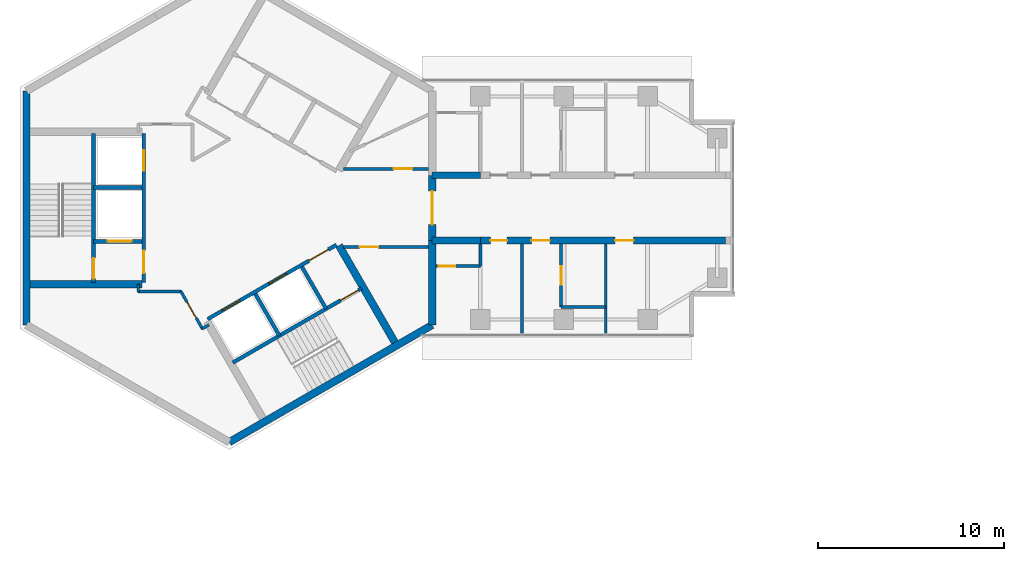
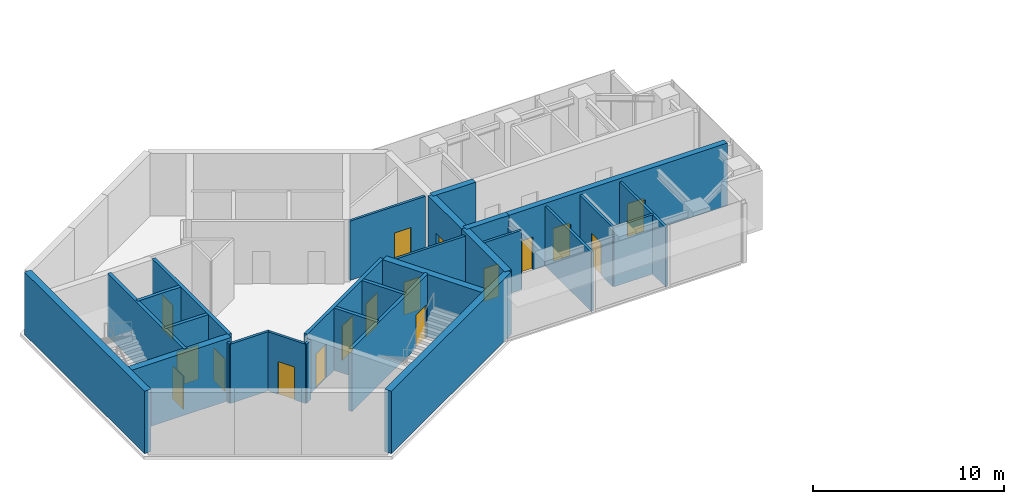
# One storey, part 5 of 11: 29 walls, 17 doors, 17 openings.
"""IFC4 building model written with IfcOpenShell, lengths in metres."""

from ifc_helpers import new_model, si_unit, direction, frame, frame_2d, origin, place, context, subcontext, project, spatial, rectangle, extrude, material, layer, layer_set, type_object, element, fill, save


model = new_model("IFC4")

# Units and contexts
model_context = context("Model", 3, precision=1e-05, world=origin(), true_north=direction((0.0, 1.0)))
body_context = subcontext(model_context, "Body", "Model", "MODEL_VIEW")
ifc_project = project(units=[si_unit("LENGTHUNIT", "METRE"), si_unit("AREAUNIT", "SQUARE_METRE"), si_unit("VOLUMEUNIT", "CUBIC_METRE"), si_unit("PLANEANGLEUNIT", "RADIAN"), si_unit("MASSUNIT", "GRAM", prefix="KILO")], contexts=[model_context])

# Site, building, storey
site_placement = place(None, origin())
site = spatial("IfcSite", under=ifc_project, at=site_placement, CompositionType="ELEMENT")
building_placement = place(site_placement, origin())
building = spatial("IfcBuilding", under=site, at=building_placement, Name="Upepo Twin Towers", CompositionType="ELEMENT")
storey_placement = place(building_placement, frame((0.0, 0.0, 259.5)))
storey = spatial("IfcBuildingStorey", under=building, at=storey_placement, Name="L63", CompositionType="ELEMENT", Elevation=259.5)

# Walls
ifc_material_1 = material(Name="Concrete C60/75", Category="concrete")
ifc_layer_1 = layer(ifc_material_1, 0.35009765625)
ifc_layer_set_1 = layer_set([ifc_layer_1], Name="Concrete C60/75")
wall_type_1 = type_object("IfcWallType", Name="Buttress wall 350 RC", PredefinedType="SHEAR", material=ifc_layer_set_1)
for number, where, z_axis, x_axis, name in (
    (1, (10.908447265625, 1.75, 0.0), (0.0, 0.0, 1.0), (1.0, 0.0, 0.0), "T1 wing A buttress wall L"),
    (2, (10.908447265625, -1.75, 0.0), (0.0, 0.0, 1.0), (1.0, 0.0, 0.0), "T1 wing A buttress wall R"),
):
    element("IfcWall", number, at=place(storey_placement, frame(where, z_axis=z_axis, x_axis=x_axis)), inside=storey, type_object=wall_type_1, Name=name, PredefinedType="SHEAR", context=body_context, shape_type="SweptSolid", body=[
        extrude(rectangle(XDim=2.591552734375, YDim=0.35009765625, at=frame_2d((1.2958984375, 0.0))), origin(), (0.0, 0.0, 1.0), 4.0),
    ])

# Wall, openings, doors
wall_1_placement = place(storey_placement, frame((13.5, -1.75, 0.0), z_axis=(0.0, 0.0, 1.0), x_axis=(1.0, 0.0, 0.0)))
wall_1 = element("IfcWall", 3, at=wall_1_placement, inside=storey, type_object=wall_type_1, Name="T1 wing A buttress wall R part 2", PredefinedType="SHEAR", context=body_context, shape_type="SweptSolid", body=[
    extrude(rectangle(XDim=13.199951171875, YDim=0.35009765625, at=frame_2d((6.60009765625, 0.0))), origin(), (0.0, 0.0, 1.0), 4.0),
])
opening_1_placement = place(wall_1_placement, frame((0.550048828125, 0.0, 0.0)))
opening_1 = element("IfcOpeningElement", 4, at=opening_1_placement, cuts=wall_1, Name="Opening D11", PredefinedType="OPENING", context=body_context, shape_type="SweptSolid", body=[
    extrude(rectangle(XDim=0.89990234375, YDim=2.10009765625, at=frame_2d((0.449951171875, 1.050048828125))), frame((0.0, 0.18505859375, 0.0), z_axis=(0.0, -1.0, 0.0), x_axis=(1.0, 0.0, 0.0)), (0.0, 0.0, 1.0), 0.3701171875),
])
opening_2_placement = place(wall_1_placement, frame((2.75, 0.0, 0.0)))
opening_2 = element("IfcOpeningElement", 5, at=opening_2_placement, cuts=wall_1, Name="Opening D1", PredefinedType="OPENING", context=body_context, shape_type="SweptSolid", body=[
    extrude(rectangle(XDim=1.0, YDim=2.10009765625, at=frame_2d((0.5, 1.050048828125))), frame((0.0, 0.18505859375, 0.0), z_axis=(0.0, -1.0, 0.0), x_axis=(1.0, 0.0, 0.0)), (0.0, 0.0, 1.0), 0.3701171875),
])
opening_3_placement = place(wall_1_placement, frame((7.25, 0.0, 0.0)))
opening_3 = element("IfcOpeningElement", 6, at=opening_3_placement, cuts=wall_1, Name="Opening D1", PredefinedType="OPENING", context=body_context, shape_type="SweptSolid", body=[
    extrude(rectangle(XDim=1.0, YDim=2.10009765625, at=frame_2d((0.5, 1.050048828125))), frame((0.0, 0.18505859375, 0.0), z_axis=(0.0, -1.0, 0.0), x_axis=(1.0, 0.0, 0.0)), (0.0, 0.0, 1.0), 0.3701171875),
])
ifc_material_2 = material(Name="Timber doorset", Category="wood")
door_type_1 = type_object("IfcDoorType", Name="Room door 1000 FD30", OperationType="SINGLE_SWING_LEFT", PredefinedType="DOOR", material=ifc_material_2)
door_1_placement = place(opening_2_placement, origin())
door_1 = element("IfcDoor", 7, at=door_1_placement, inside=storey, type_object=door_type_1, Name="T1 L63 tutorial room door", OperationType="SINGLE_SWING_LEFT", OverallHeight=2.10009765625, OverallWidth=1.0, PredefinedType="DOOR", context=body_context, shape_type="SweptSolid", body=[
    extrude(rectangle(XDim=1.0, YDim=2.10009765625, at=frame_2d((0.5, 1.050048828125))), frame((0.0, 0.02490234375, 0.0), z_axis=(0.0, -1.0, 0.0), x_axis=(1.0, 0.0, 0.0)), (0.0, 0.0, 1.0), 0.050048828125),
])
fill(opening_2, door_1)
door_2_placement = place(opening_3_placement, origin())
door_2 = element("IfcDoor", 8, at=door_2_placement, inside=storey, type_object=door_type_1, Name="T1 L63 computing laboratory door", OperationType="SINGLE_SWING_RIGHT", OverallHeight=2.10009765625, OverallWidth=1.0, PredefinedType="DOOR", context=body_context, shape_type="SweptSolid", body=[
    extrude(rectangle(XDim=1.0, YDim=2.10009765625, at=frame_2d((0.5, 1.050048828125))), frame((0.0, 0.02490234375, 0.0), z_axis=(0.0, -1.0, 0.0), x_axis=(1.0, 0.0, 0.0)), (0.0, 0.0, 1.0), 0.050048828125),
])
fill(opening_3, door_2)
ifc_material_3 = material(Name="Timber doorset", Category="wood")
door_type_2 = type_object("IfcDoorType", Name="Toilet door 900", OperationType="SINGLE_SWING_LEFT", PredefinedType="DOOR", material=ifc_material_3)
door_3_placement = place(opening_1_placement, origin())
door_3 = element("IfcDoor", 9, at=door_3_placement, inside=storey, type_object=door_type_2, Name="T1 L63 toilets door", OperationType="SINGLE_SWING_LEFT", OverallHeight=2.10009765625, OverallWidth=0.89990234375, PredefinedType="DOOR", context=body_context, shape_type="SweptSolid", body=[
    extrude(rectangle(XDim=0.89990234375, YDim=2.10009765625, at=frame_2d((0.449951171875, 1.050048828125))), frame((0.0, 0.02490234375, 0.0), z_axis=(0.0, -1.0, 0.0), x_axis=(1.0, 0.0, 0.0)), (0.0, 0.0, 1.0), 0.050048828125),
])
fill(opening_1, door_3)

# Wall
ifc_material_4 = material(Name="Concrete C60/75", Category="concrete")
ifc_layer_2 = layer(ifc_material_4, 0.39990234375)
ifc_layer_set_2 = layer_set([ifc_layer_2], Name="Concrete C60/75")
wall_type_2 = type_object("IfcWallType", Name="Core wall 400 RC", PredefinedType="SHEAR", material=ifc_layer_set_2)
wall_2_placement = place(storey_placement, frame((10.908447265625, -6.2978515625, 0.0), z_axis=(0.0, 0.0, 1.0), x_axis=(0.0, 1.0, 0.0)))
element("IfcWall", 10, at=wall_2_placement, inside=storey, type_object=wall_type_2, Name="T1 core wall 000 R", PredefinedType="SHEAR", context=body_context, shape_type="SweptSolid", body=[
    extrude(rectangle(XDim=4.5478515625, YDim=0.39990234375, at=frame_2d((2.27392578125, 0.0))), origin(), (0.0, 0.0, 1.0), 4.0),
])

# Wall, opening, door
wall_3_placement = place(storey_placement, frame((10.908447265625, -1.75, 0.0), z_axis=(0.0, 0.0, 1.0), x_axis=(0.0, 1.0, 0.0)))
wall_3 = element("IfcWall", 11, at=wall_3_placement, inside=storey, type_object=wall_type_2, Name="T1 core wall 000", PredefinedType="SHEAR", context=body_context, shape_type="SweptSolid", body=[
    extrude(rectangle(XDim=3.5, YDim=0.39990234375, at=frame_2d((1.75, 0.0))), origin(), (0.0, 0.0, 1.0), 4.0),
])
opening_4_placement = place(wall_3_placement, frame((0.85009765625, 0.0, 0.0)))
opening_4 = element("IfcOpeningElement", 12, at=opening_4_placement, cuts=wall_3, Name="Opening D2", PredefinedType="OPENING", context=body_context, shape_type="SweptSolid", body=[
    extrude(rectangle(XDim=1.800048828125, YDim=2.10009765625, at=frame_2d((0.89990234375, 1.050048828125))), frame((0.0, 0.2099609375, 0.0), z_axis=(0.0, -1.0, 0.0), x_axis=(1.0, 0.0, 0.0)), (0.0, 0.0, 1.0), 0.419921875),
])
ifc_material_5 = material(Name="Timber doorset", Category="wood")
door_type_3 = type_object("IfcDoorType", Name="Corridor double door 1800 FD60", OperationType="DOUBLE_DOOR_DOUBLE_SWING", PredefinedType="DOOR", material=ifc_material_5)
door_4_placement = place(opening_4_placement, origin())
door_4 = element("IfcDoor", 13, at=door_4_placement, inside=storey, type_object=door_type_3, Name="T1 L63 wing A corridor door", OperationType="DOUBLE_DOOR_DOUBLE_SWING", OverallHeight=2.10009765625, OverallWidth=1.800048828125, PredefinedType="DOOR", context=body_context, shape_type="SweptSolid", body=[
    extrude(rectangle(XDim=1.800048828125, YDim=2.10009765625, at=frame_2d((0.89990234375, 1.050048828125))), frame((0.0, 0.02490234375, 0.0), z_axis=(0.0, -1.0, 0.0), x_axis=(1.0, 0.0, 0.0)), (0.0, 0.0, 1.0), 0.050048828125),
])
fill(opening_4, door_4)

# Walls
wall_4_placement = place(storey_placement, frame((-10.908447265625, 6.2978515625, 0.0), z_axis=(0.0, 0.0, 1.0), x_axis=(0.0, -1.0, 0.0)))
element("IfcWall", 14, at=wall_4_placement, inside=storey, type_object=wall_type_2, Name="T1 core wall 180", PredefinedType="SHEAR", context=body_context, shape_type="SweptSolid", body=[
    extrude(rectangle(XDim=12.595703125, YDim=0.39990234375, at=frame_2d((6.2978515625, 0.0))), origin(), (0.0, 0.0, 1.0), 4.0),
])
wall_5_placement = place(storey_placement, frame((0.0, -12.595947265625, 0.0), z_axis=(0.0, 0.0, 1.0), x_axis=(0.866021940709, 0.500005998175, 0.0)))
element("IfcWall", 15, at=wall_5_placement, inside=storey, type_object=wall_type_2, Name="T1 core wall 300", PredefinedType="SHEAR", context=body_context, shape_type="SweptSolid", body=[
    extrude(rectangle(XDim=12.595947265625, YDim=0.39990234375, at=frame_2d((6.2978515625, 0.0))), origin(), (0.0, 0.0, 1.0), 4.0),
])

# Wall, openings, doors
ifc_material_6 = material(Name="Concrete C40/50", Category="concrete")
ifc_layer_3 = layer(ifc_material_6, 0.199951171875)
ifc_layer_set_3 = layer_set([ifc_layer_3], Name="Concrete C40/50")
wall_type_3 = type_object("IfcWallType", Name="Shaft wall 200 RC", PredefinedType="SHEAR", material=ifc_layer_set_3)
wall_6_placement = place(storey_placement, frame((-4.60009765625, 4.0, 0.0), z_axis=(0.0, 0.0, 1.0), x_axis=(0.0, -1.0, 0.0)))
wall_6 = element("IfcWall", 16, at=wall_6_placement, inside=storey, type_object=wall_type_3, Name="T1 core W180 front wall", PredefinedType="SHEAR", context=body_context, shape_type="SweptSolid", body=[
    extrude(rectangle(XDim=8.0, YDim=0.199951171875, at=frame_2d((4.0, 0.0))), origin(), (0.0, 0.0, 1.0), 4.0),
])
opening_5_placement = place(wall_6_placement, frame((6.300048828125, 0.0, 0.0)))
opening_5 = element("IfcOpeningElement", 17, at=opening_5_placement, cuts=wall_6, Name="Opening D4", PredefinedType="OPENING", context=body_context, shape_type="SweptSolid", body=[
    extrude(rectangle(XDim=1.199951171875, YDim=2.10009765625, at=frame_2d((0.60009765625, 1.050048828125))), frame((0.0, 0.10986328125, 0.0), z_axis=(0.0, -1.0, 0.0), x_axis=(1.0, 0.0, 0.0)), (0.0, 0.0, 1.0), 0.219970703125),
])
opening_6_placement = place(wall_6_placement, frame((0.89990234375, 0.0, 0.0)))
opening_6 = element("IfcOpeningElement", 18, at=opening_6_placement, cuts=wall_6, Name="Opening LD1", PredefinedType="OPENING", context=body_context, shape_type="SweptSolid", body=[
    extrude(rectangle(XDim=1.10009765625, YDim=2.199951171875, at=frame_2d((0.550048828125, 1.10009765625))), frame((0.0, 0.10986328125, 0.0), z_axis=(0.0, -1.0, 0.0), x_axis=(1.0, 0.0, 0.0)), (0.0, 0.0, 1.0), 0.219970703125),
])
ifc_material_7 = material(Name="Steel doorset", Category="steel")
door_type_4 = type_object("IfcDoorType", Name="Lift landing door 1100", OperationType="DOUBLE_DOOR_SLIDING", PredefinedType="DOOR", material=ifc_material_7)
door_5_placement = place(opening_6_placement, origin())
door_5 = element("IfcDoor", 19, at=door_5_placement, inside=storey, type_object=door_type_4, Name="T1 L63 lift SV1 landing door", OperationType="DOUBLE_DOOR_SLIDING", OverallHeight=2.199951171875, OverallWidth=1.10009765625, PredefinedType="DOOR", context=body_context, shape_type="SweptSolid", body=[
    extrude(rectangle(XDim=1.10009765625, YDim=2.199951171875, at=frame_2d((0.550048828125, 1.10009765625))), frame((0.0, 0.02490234375, 0.0), z_axis=(0.0, -1.0, 0.0), x_axis=(1.0, 0.0, 0.0)), (0.0, 0.0, 1.0), 0.050048828125),
])
fill(opening_6, door_5)
ifc_material_8 = material(Name="Timber doorset", Category="wood")
door_type_5 = type_object("IfcDoorType", Name="Lobby door 1200 FD60", OperationType="SINGLE_SWING_LEFT", PredefinedType="DOOR", material=ifc_material_8)
door_6_placement = place(opening_5_placement, origin())
door_6 = element("IfcDoor", 20, at=door_6_placement, inside=storey, type_object=door_type_5, Name="T1 L63 W180 lobby door", OperationType="SINGLE_SWING_RIGHT", OverallHeight=2.10009765625, OverallWidth=1.199951171875, PredefinedType="DOOR", context=body_context, shape_type="SweptSolid", body=[
    extrude(rectangle(XDim=1.199951171875, YDim=2.10009765625, at=frame_2d((0.60009765625, 1.050048828125))), frame((0.0, 0.02490234375, 0.0), z_axis=(0.0, -1.0, 0.0), x_axis=(1.0, 0.0, 0.0)), (0.0, 0.0, 1.0), 0.050048828125),
])
fill(opening_5, door_6)

# Wall
wall_7_placement = place(storey_placement, frame((-4.699951171875, 1.10009765625, 0.0), z_axis=(0.0, 0.0, 1.0), x_axis=(-1.0, 0.0, 0.0)))
element("IfcWall", 21, at=wall_7_placement, inside=storey, type_object=wall_type_3, Name="T1 core W180 shaft divider", PredefinedType="SHEAR", context=body_context, shape_type="SweptSolid", body=[
    extrude(rectangle(XDim=2.60009765625, YDim=0.199951171875, at=frame_2d((1.300048828125, 0.0))), origin(), (0.0, 0.0, 1.0), 4.0),
])

# Wall, opening, door
wall_8_placement = place(storey_placement, frame((-4.699951171875, -1.800048828125, 0.0), z_axis=(0.0, 0.0, 1.0), x_axis=(-1.0, 0.0, 0.0)))
wall_8 = element("IfcWall", 22, at=wall_8_placement, inside=storey, type_object=wall_type_3, Name="T1 core W180 lobby wall", PredefinedType="SHEAR", context=body_context, shape_type="SweptSolid", body=[
    extrude(rectangle(XDim=2.60009765625, YDim=0.199951171875, at=frame_2d((1.300048828125, 0.0))), origin(), (0.0, 0.0, 1.0), 4.0),
])
opening_7_placement = place(wall_8_placement, frame((0.550048828125, 0.0, 0.0)))
opening_7 = element("IfcOpeningElement", 23, at=opening_7_placement, cuts=wall_8, Name="Opening LD2", PredefinedType="OPENING", context=body_context, shape_type="SweptSolid", body=[
    extrude(rectangle(XDim=1.300048828125, YDim=2.199951171875, at=frame_2d((0.64990234375, 1.10009765625))), frame((0.0, 0.10986328125, 0.0), z_axis=(0.0, -1.0, 0.0), x_axis=(1.0, 0.0, 0.0)), (0.0, 0.0, 1.0), 0.219970703125),
])
ifc_material_9 = material(Name="Steel doorset", Category="steel")
door_type_6 = type_object("IfcDoorType", Name="Firefighting lift landing door 1300", OperationType="DOUBLE_DOOR_SLIDING", PredefinedType="DOOR", material=ifc_material_9)
door_7_placement = place(opening_7_placement, origin())
door_7 = element("IfcDoor", 24, at=door_7_placement, inside=storey, type_object=door_type_6, Name="T1 L63 firefighting lift landing door", OperationType="DOUBLE_DOOR_SLIDING", OverallHeight=2.199951171875, OverallWidth=1.300048828125, PredefinedType="DOOR", context=body_context, shape_type="SweptSolid", body=[
    extrude(rectangle(XDim=1.300048828125, YDim=2.199951171875, at=frame_2d((0.64990234375, 1.10009765625))), frame((0.0, 0.02490234375, 0.0), z_axis=(0.0, -1.0, 0.0), x_axis=(1.0, 0.0, 0.0)), (0.0, 0.0, 1.0), 0.050048828125),
])
fill(opening_7, door_7)

wall_9_placement = place(storey_placement, frame((-7.300048828125, 4.0, 0.0), z_axis=(0.0, 0.0, 1.0), x_axis=(0.0, -1.0, 0.0)))
wall_9 = element("IfcWall", 25, at=wall_9_placement, inside=storey, type_object=wall_type_3, Name="T1 core W180 stair wall", PredefinedType="SHEAR", context=body_context, shape_type="SweptSolid", body=[
    extrude(rectangle(XDim=8.0, YDim=0.199951171875, at=frame_2d((4.0, 0.0))), origin(), (0.0, 0.0, 1.0), 4.0),
])
opening_8_placement = place(wall_9_placement, frame((6.699951171875, 0.0, 0.0)))
opening_8 = element("IfcOpeningElement", 26, at=opening_8_placement, cuts=wall_9, Name="Opening D3", PredefinedType="OPENING", context=body_context, shape_type="SweptSolid", body=[
    extrude(rectangle(XDim=1.10009765625, YDim=2.10009765625, at=frame_2d((0.550048828125, 1.050048828125))), frame((0.0, 0.10986328125, 0.0), z_axis=(0.0, -1.0, 0.0), x_axis=(1.0, 0.0, 0.0)), (0.0, 0.0, 1.0), 0.219970703125),
])
ifc_material_10 = material(Name="Timber doorset", Category="wood")
door_type_7 = type_object("IfcDoorType", Name="Stair door 1100 FD60", OperationType="SINGLE_SWING_LEFT", PredefinedType="DOOR", material=ifc_material_10)
door_8_placement = place(opening_8_placement, origin())
door_8 = element("IfcDoor", 27, at=door_8_placement, inside=storey, type_object=door_type_7, Name="T1 L63 stair door", OperationType="SINGLE_SWING_RIGHT", OverallHeight=2.10009765625, OverallWidth=1.10009765625, PredefinedType="DOOR", context=body_context, shape_type="SweptSolid", body=[
    extrude(rectangle(XDim=1.10009765625, YDim=2.10009765625, at=frame_2d((0.550048828125, 1.050048828125))), frame((0.0, 0.02490234375, 0.0), z_axis=(0.0, -1.0, 0.0), x_axis=(1.0, 0.0, 0.0)), (0.0, 0.0, 1.0), 0.050048828125),
])
fill(opening_8, door_8)

# Wall, openings, doors
wall_10_placement = place(storey_placement, frame((-1.1640625, -5.983642578125, 0.0), z_axis=(0.0, 0.0, 1.0), x_axis=(0.866026010844, 0.49999894854, 0.0)))
wall_10 = element("IfcWall", 28, at=wall_10_placement, inside=storey, type_object=wall_type_3, Name="T1 core W300 front wall", PredefinedType="SHEAR", context=body_context, shape_type="SweptSolid", body=[
    extrude(rectangle(XDim=8.0, YDim=0.199951171875, at=frame_2d((4.0, 0.0))), origin(), (0.0, 0.0, 1.0), 4.0),
])
opening_9_placement = place(wall_10_placement, frame((6.300048828125, 0.0, 0.0)))
opening_9 = element("IfcOpeningElement", 29, at=opening_9_placement, cuts=wall_10, Name="Opening D4", PredefinedType="OPENING", context=body_context, shape_type="SweptSolid", body=[
    extrude(rectangle(XDim=1.199951171875, YDim=2.10009765625, at=frame_2d((0.60009765625, 1.050048828125))), frame((0.0, 0.10986328125, 0.0), z_axis=(0.0, -1.0, 0.0), x_axis=(1.0, 0.0, 0.0)), (0.0, 0.0, 1.0), 0.219970703125),
])
opening_10_placement = place(wall_10_placement, frame((0.89990234375, 0.0, 0.0)))
opening_10 = element("IfcOpeningElement", 30, at=opening_10_placement, cuts=wall_10, Name="Opening LD1", PredefinedType="OPENING", context=body_context, shape_type="SweptSolid", body=[
    extrude(rectangle(XDim=1.10009765625, YDim=2.199951171875, at=frame_2d((0.550048828125, 1.10009765625))), frame((0.0, 0.10986328125, 0.0), z_axis=(0.0, -1.0, 0.0), x_axis=(1.0, 0.0, 0.0)), (0.0, 0.0, 1.0), 0.219970703125),
])
opening_11_placement = place(wall_10_placement, frame((3.800048828125, 0.0, 0.0)))
opening_11 = element("IfcOpeningElement", 31, at=opening_11_placement, cuts=wall_10, Name="Opening LD1", PredefinedType="OPENING", context=body_context, shape_type="SweptSolid", body=[
    extrude(rectangle(XDim=1.10009765625, YDim=2.199951171875, at=frame_2d((0.550048828125, 1.10009765625))), frame((0.0, 0.10986328125, 0.0), z_axis=(0.0, -1.0, 0.0), x_axis=(1.0, 0.0, 0.0)), (0.0, 0.0, 1.0), 0.219970703125),
])
door_9_placement = place(opening_10_placement, origin())
door_9 = element("IfcDoor", 32, at=door_9_placement, inside=storey, type_object=door_type_4, Name="T1 L63 lift TL1 landing door", OperationType="DOUBLE_DOOR_SLIDING", OverallHeight=2.199951171875, OverallWidth=1.10009765625, PredefinedType="DOOR", context=body_context, shape_type="SweptSolid", body=[
    extrude(rectangle(XDim=1.10009765625, YDim=2.199951171875, at=frame_2d((0.550048828125, 1.10009765625))), frame((0.0, 0.02490234375, 0.0), z_axis=(0.0, -1.0, 0.0), x_axis=(1.0, 0.0, 0.0)), (0.0, 0.0, 1.0), 0.050048828125),
])
fill(opening_10, door_9)
door_10_placement = place(opening_11_placement, origin())
door_10 = element("IfcDoor", 33, at=door_10_placement, inside=storey, type_object=door_type_4, Name="T1 L63 lift TL2 landing door", OperationType="DOUBLE_DOOR_SLIDING", OverallHeight=2.199951171875, OverallWidth=1.10009765625, PredefinedType="DOOR", context=body_context, shape_type="SweptSolid", body=[
    extrude(rectangle(XDim=1.10009765625, YDim=2.199951171875, at=frame_2d((0.550048828125, 1.10009765625))), frame((0.0, 0.02490234375, 0.0), z_axis=(0.0, -1.0, 0.0), x_axis=(1.0, 0.0, 0.0)), (0.0, 0.0, 1.0), 0.050048828125),
])
fill(opening_11, door_10)
door_11_placement = place(opening_9_placement, origin())
door_11 = element("IfcDoor", 34, at=door_11_placement, inside=storey, type_object=door_type_5, Name="T1 L63 W300 lobby door", OperationType="SINGLE_SWING_RIGHT", OverallHeight=2.10009765625, OverallWidth=1.199951171875, PredefinedType="DOOR", context=body_context, shape_type="SweptSolid", body=[
    extrude(rectangle(XDim=1.199951171875, YDim=2.10009765625, at=frame_2d((0.60009765625, 1.050048828125))), frame((0.0, 0.02490234375, 0.0), z_axis=(0.0, -1.0, 0.0), x_axis=(1.0, 0.0, 0.0)), (0.0, 0.0, 1.0), 0.050048828125),
])
fill(opening_9, door_11)

# Walls
wall_11_placement = place(storey_placement, frame((1.3974609375, -4.620361328125, 0.0), z_axis=(0.0, 0.0, 1.0), x_axis=(0.499936506574, -0.866062058628, 0.0)))
element("IfcWall", 35, at=wall_11_placement, inside=storey, type_object=wall_type_3, Name="T1 core W300 shaft divider", PredefinedType="SHEAR", context=body_context, shape_type="SweptSolid", body=[
    extrude(rectangle(XDim=2.599853515625, YDim=0.199951171875, at=frame_2d((1.2998046875, 0.0))), origin(), (0.0, 0.0, 1.0), 4.0),
])
wall_12_placement = place(storey_placement, frame((3.908935546875, -3.17041015625, 0.0), z_axis=(0.0, 0.0, 1.0), x_axis=(0.49997716683, -0.86603858612, 0.0)))
element("IfcWall", 36, at=wall_12_placement, inside=storey, type_object=wall_type_3, Name="T1 core W300 lobby wall", PredefinedType="SHEAR", context=body_context, shape_type="SweptSolid", body=[
    extrude(rectangle(XDim=2.599609375, YDim=0.199951171875, at=frame_2d((1.2998046875, 0.0))), origin(), (0.0, 0.0, 1.0), 4.0),
])

# Wall, opening, door
wall_13_placement = place(storey_placement, frame((0.185791015625, -8.322021484375, 0.0), z_axis=(0.0, 0.0, 1.0), x_axis=(0.866026010844, 0.49999894854, 0.0)))
wall_13 = element("IfcWall", 37, at=wall_13_placement, inside=storey, type_object=wall_type_3, Name="T1 core W300 stair wall", PredefinedType="SHEAR", context=body_context, shape_type="SweptSolid", body=[
    extrude(rectangle(XDim=8.0, YDim=0.199951171875, at=frame_2d((4.0, 0.0))), origin(), (0.0, 0.0, 1.0), 4.0),
])
opening_12_placement = place(wall_13_placement, frame((6.699951171875, 0.0, 0.0)))
opening_12 = element("IfcOpeningElement", 38, at=opening_12_placement, cuts=wall_13, Name="Opening D3", PredefinedType="OPENING", context=body_context, shape_type="SweptSolid", body=[
    extrude(rectangle(XDim=1.10009765625, YDim=2.10009765625, at=frame_2d((0.550048828125, 1.050048828125))), frame((0.0, 0.10986328125, 0.0), z_axis=(0.0, -1.0, 0.0), x_axis=(1.0, 0.0, 0.0)), (0.0, 0.0, 1.0), 0.219970703125),
])
door_12_placement = place(opening_12_placement, origin())
door_12 = element("IfcDoor", 39, at=door_12_placement, inside=storey, type_object=door_type_7, Name="T1 L63 stair door", OperationType="SINGLE_SWING_RIGHT", OverallHeight=2.10009765625, OverallWidth=1.10009765625, PredefinedType="DOOR", context=body_context, shape_type="SweptSolid", body=[
    extrude(rectangle(XDim=1.10009765625, YDim=2.10009765625, at=frame_2d((0.550048828125, 1.050048828125))), frame((0.0, 0.02490234375, 0.0), z_axis=(0.0, -1.0, 0.0), x_axis=(1.0, 0.0, 0.0)), (0.0, 0.0, 1.0), 0.050048828125),
])
fill(opening_12, door_12)

# Walls
ifc_material_11 = material(Name="Concrete C40/50", Category="concrete")
ifc_layer_4 = layer(ifc_material_11, 0.39990234375)
ifc_layer_set_4 = layer_set([ifc_layer_4], Name="Concrete C40/50")
wall_type_4 = type_object("IfcWallType", Name="Shaft wall 400 RC", PredefinedType="SHEAR", material=ifc_layer_set_4)
for number, where, z_axis, x_axis, name in (
    (40, (-4.699951171875, -4.10009765625, 0.0), (0.0, 0.0, 1.0), (-1.0, 0.0, 0.0), "T1 core W180 side wall N"),
    (41, (5.900634765625, -2.020263671875, 0.0), (0.0, 0.0, 1.0), (0.499997979876, -0.866026570101, 0.0), "T1 core W300 side wall N"),
):
    element("IfcWall", number, at=place(storey_placement, frame(where, z_axis=z_axis, x_axis=x_axis)), inside=storey, type_object=wall_type_4, Name=name, PredefinedType="SHEAR", context=body_context, shape_type="SweptSolid", body=[
        extrude(rectangle(XDim=6.00830078125, YDim=0.39990234375, at=frame_2d((3.004150390625, 0.0))), origin(), (0.0, 0.0, 1.0), 4.0),
    ])
ifc_material_12 = material(Name="Gypsum board on steel studs", Category="steel")
ifc_layer_5 = layer(ifc_material_12, 0.14990234375)
ifc_layer_set_5 = layer_set([ifc_layer_5], Name="Teaching partition 150 acoustic")
wall_type_5 = type_object("IfcWallType", Name="Teaching partition 150 acoustic", PredefinedType="PARTITIONING", material=ifc_layer_set_5)
for number, where, z_axis, x_axis, name in (
    (42, (15.75, -1.925048828125, 0.0), (0.0, 0.0, 1.0), (0.0, -1.0, 0.0), "T1 partition AR at 15.75"),
    (43, (20.25, -1.925048828125, 0.0), (0.0, 0.0, 1.0), (0.0, -1.0, 0.0), "T1 partition AR at 20.25"),
):
    element("IfcWall", number, at=place(storey_placement, frame(where, z_axis=z_axis, x_axis=x_axis)), inside=storey, type_object=wall_type_5, Name=name, PredefinedType="PARTITIONING", context=body_context, shape_type="SweptSolid", body=[
        extrude(rectangle(XDim=4.824951171875, YDim=0.14990234375, at=frame_2d((2.41259765625, 0.0))), origin(), (0.0, 0.0, 1.0), 3.800048828125),
    ])
wall_14_placement = place(storey_placement, frame((17.85009765625, -5.324951171875, 0.0), z_axis=(0.0, 0.0, 1.0), x_axis=(1.0, 0.0, 0.0)))
element("IfcWall", 44, at=wall_14_placement, inside=storey, type_object=wall_type_5, Name="T1 inner room partition AR at 17.85", PredefinedType="PARTITIONING", context=body_context, shape_type="SweptSolid", body=[
    extrude(rectangle(XDim=2.39990234375, YDim=0.14990234375, at=frame_2d((1.199951171875, 0.0))), origin(), (0.0, 0.0, 1.0), 3.800048828125),
])

# Wall, opening, door
wall_15_placement = place(storey_placement, frame((17.85009765625, -1.925048828125, 0.0), z_axis=(0.0, 0.0, 1.0), x_axis=(0.0, -1.0, 0.0)))
wall_15 = element("IfcWall", 45, at=wall_15_placement, inside=storey, type_object=wall_type_5, Name="T1 inner room partition AR end at 17.85", PredefinedType="PARTITIONING", context=body_context, shape_type="SweptSolid", body=[
    extrude(rectangle(XDim=3.39990234375, YDim=0.14990234375, at=frame_2d((1.699951171875, 0.0))), origin(), (0.0, 0.0, 1.0), 3.800048828125),
])
opening_13_placement = place(wall_15_placement, frame((1.199951171875, 0.0, 0.0)))
opening_13 = element("IfcOpeningElement", 46, at=opening_13_placement, cuts=wall_15, Name="Opening D1", PredefinedType="OPENING", context=body_context, shape_type="SweptSolid", body=[
    extrude(rectangle(XDim=1.0, YDim=2.10009765625, at=frame_2d((0.5, 1.050048828125))), frame((0.0, 0.0849609375, 0.0), z_axis=(0.0, -1.0, 0.0), x_axis=(1.0, 0.0, 0.0)), (0.0, 0.0, 1.0), 0.169921875),
])
door_13_placement = place(opening_13_placement, origin())
door_13 = element("IfcDoor", 47, at=door_13_placement, inside=storey, type_object=door_type_1, Name="T1 L63 inner room door", OperationType="SINGLE_SWING_LEFT", OverallHeight=2.10009765625, OverallWidth=1.0, PredefinedType="DOOR", context=body_context, shape_type="SweptSolid", body=[
    extrude(rectangle(XDim=1.0, YDim=2.10009765625, at=frame_2d((0.5, 1.050048828125))), frame((0.0, 0.02490234375, 0.0), z_axis=(0.0, -1.0, 0.0), x_axis=(1.0, 0.0, 0.0)), (0.0, 0.0, 1.0), 0.050048828125),
])
fill(opening_13, door_13)

wall_16_placement = place(storey_placement, frame((11.10791015625, -3.125, 0.0), z_axis=(0.0, 0.0, 1.0), x_axis=(1.0, 0.0, 0.0)))
wall_16 = element("IfcWall", 48, at=wall_16_placement, inside=storey, type_object=wall_type_5, Name="T1 WC bay partition AR at 11.11", PredefinedType="PARTITIONING", context=body_context, shape_type="SweptSolid", body=[
    extrude(rectangle(XDim=2.400146484375, YDim=0.14990234375, at=frame_2d((1.2001953125, 0.0))), origin(), (0.0, 0.0, 1.0), 3.800048828125),
])
opening_14_placement = place(wall_16_placement, frame((0.14990234375, 0.0, 0.0)))
opening_14 = element("IfcOpeningElement", 49, at=opening_14_placement, cuts=wall_16, Name="Opening D14", PredefinedType="OPENING", context=body_context, shape_type="SweptSolid", body=[
    extrude(rectangle(XDim=0.89990234375, YDim=2.10009765625, at=frame_2d((0.449951171875, 1.050048828125))), frame((0.0, 0.0849609375, 0.0), z_axis=(0.0, -1.0, 0.0), x_axis=(1.0, 0.0, 0.0)), (0.0, 0.0, 1.0), 0.169921875),
])
ifc_material_13 = material(Name="Timber doorset", Category="wood")
door_type_8 = type_object("IfcDoorType", Name="Office door 900 FD30", OperationType="SINGLE_SWING_LEFT", PredefinedType="DOOR", material=ifc_material_13)
door_14_placement = place(opening_14_placement, origin())
door_14 = element("IfcDoor", 50, at=door_14_placement, inside=storey, type_object=door_type_8, Name="T1 L63 WC bay inner room door", OperationType="SINGLE_SWING_LEFT", OverallHeight=2.10009765625, OverallWidth=0.89990234375, PredefinedType="DOOR", context=body_context, shape_type="SweptSolid", body=[
    extrude(rectangle(XDim=0.89990234375, YDim=2.10009765625, at=frame_2d((0.449951171875, 1.050048828125))), frame((0.0, 0.02490234375, 0.0), z_axis=(0.0, -1.0, 0.0), x_axis=(1.0, 0.0, 0.0)), (0.0, 0.0, 1.0), 0.050048828125),
])
fill(opening_14, door_14)

# Wall
wall_17_placement = place(storey_placement, frame((13.508056640625, -1.925048828125, 0.0), z_axis=(0.0, 0.0, 1.0), x_axis=(0.0, -1.0, 0.0)))
element("IfcWall", 51, at=wall_17_placement, inside=storey, type_object=wall_type_5, Name="T1 WC bay partition AR end at 13.51", PredefinedType="PARTITIONING", context=body_context, shape_type="SweptSolid", body=[
    extrude(rectangle(XDim=1.199951171875, YDim=0.14990234375, at=frame_2d((0.60009765625, 0.0))), origin(), (0.0, 0.0, 1.0), 3.266845703125),
])

# Wall, opening, door
wall_18_placement = place(storey_placement, frame((-1.43701171875, -6.5107421875, 0.0), z_axis=(0.0, 0.0, 1.0), x_axis=(-0.500074377092, 0.865982457891, 0.0)))
wall_18 = element("IfcWall", 52, at=wall_18_placement, inside=storey, type_object=wall_type_5, Name="T1 core room partition 1", PredefinedType="PARTITIONING", context=body_context, shape_type="SweptSolid", body=[
    extrude(rectangle(XDim=2.342041015625, YDim=0.14990234375, at=frame_2d((1.1708984375, 0.0))), origin(), (0.0, 0.0, 1.0), 3.800048828125),
])
opening_15_placement = place(wall_18_placement, frame((0.6708984375, 0.0, 0.0)))
opening_15 = element("IfcOpeningElement", 53, at=opening_15_placement, cuts=wall_18, Name="Opening D1", PredefinedType="OPENING", context=body_context, shape_type="SweptSolid", body=[
    extrude(rectangle(XDim=1.0, YDim=2.10009765625, at=frame_2d((0.5, 1.050048828125))), frame((0.0, 0.0849609375, 0.0), z_axis=(0.0, -1.0, 0.0), x_axis=(1.0, 0.0, 0.0)), (0.0, 0.0, 1.0), 0.169921875),
])
door_15_placement = place(opening_15_placement, origin())
door_15 = element("IfcDoor", 54, at=door_15_placement, inside=storey, type_object=door_type_1, Name="T1 L63 core room door K1", OperationType="SINGLE_SWING_RIGHT", OverallHeight=2.10009765625, OverallWidth=1.0, PredefinedType="DOOR", context=body_context, shape_type="SweptSolid", body=[
    extrude(rectangle(XDim=1.0, YDim=2.10009765625, at=frame_2d((0.5, 1.050048828125))), frame((0.0, 0.02490234375, 0.0), z_axis=(0.0, -1.0, 0.0), x_axis=(1.0, 0.0, 0.0)), (0.0, 0.0, 1.0), 0.050048828125),
])
fill(opening_15, door_15)

# Walls
wall_19_placement = place(storey_placement, frame((-2.578125, -4.5, 0.0), z_axis=(0.0, 0.0, 1.0), x_axis=(-1.0, 0.0, 0.0)))
element("IfcWall", 55, at=wall_19_placement, inside=storey, type_object=wall_type_5, Name="T1 core room partition 2", PredefinedType="PARTITIONING", context=body_context, shape_type="SweptSolid", body=[
    extrude(rectangle(XDim=2.341796875, YDim=0.14990234375, at=frame_2d((1.1708984375, 0.0))), origin(), (0.0, 0.0, 1.0), 3.800048828125),
])
wall_20_placement = place(storey_placement, frame((-4.89990234375, -4.52001953125, 0.0), z_axis=(0.0, 0.0, 1.0), x_axis=(0.0, 1.0, 0.0)))
element("IfcWall", 56, at=wall_20_placement, inside=storey, type_object=wall_type_5, Name="T1 core room partition 3", PredefinedType="PARTITIONING", context=body_context, shape_type="SweptSolid", body=[
    extrude(rectangle(XDim=0.429931640625, YDim=0.14990234375, at=frame_2d((0.21484375, 0.0))), origin(), (0.0, 0.0, 1.0), 3.800048828125),
])

# Wall, opening, door
wall_21_placement = place(storey_placement, frame((6.142578125, 2.10009765625, 0.0), z_axis=(0.0, 0.0, 1.0), x_axis=(1.0, 0.0, 0.0)))
wall_21 = element("IfcWall", 57, at=wall_21_placement, inside=storey, type_object=wall_type_5, Name="T1 core room partition 11", PredefinedType="PARTITIONING", context=body_context, shape_type="SweptSolid", body=[
    extrude(rectangle(XDim=4.57568359375, YDim=0.14990234375, at=frame_2d((2.287841796875, 0.0))), origin(), (0.0, 0.0, 1.0), 3.800048828125),
])
opening_16_placement = place(wall_21_placement, frame((2.702880859375, 0.0, 0.0)))
opening_16 = element("IfcOpeningElement", 58, at=opening_16_placement, cuts=wall_21, Name="Opening D1", PredefinedType="OPENING", context=body_context, shape_type="SweptSolid", body=[
    extrude(rectangle(XDim=1.0, YDim=2.10009765625, at=frame_2d((0.5, 1.050048828125))), frame((0.0, 0.0849609375, 0.0), z_axis=(0.0, -1.0, 0.0), x_axis=(1.0, 0.0, 0.0)), (0.0, 0.0, 1.0), 0.169921875),
])
door_16_placement = place(opening_16_placement, origin())
door_16 = element("IfcDoor", 59, at=door_16_placement, inside=storey, type_object=door_type_1, Name="T1 L63 core room door K4", OperationType="SINGLE_SWING_RIGHT", OverallHeight=2.10009765625, OverallWidth=1.0, PredefinedType="DOOR", context=body_context, shape_type="SweptSolid", body=[
    extrude(rectangle(XDim=1.0, YDim=2.10009765625, at=frame_2d((0.5, 1.050048828125))), frame((0.0, 0.02490234375, 0.0), z_axis=(0.0, -1.0, 0.0), x_axis=(1.0, 0.0, 0.0)), (0.0, 0.0, 1.0), 0.050048828125),
])
fill(opening_16, door_16)

wall_22_placement = place(storey_placement, frame((10.71826171875, -2.10009765625, 0.0), z_axis=(0.0, 0.0, 1.0), x_axis=(-1.0, 0.0, 0.0)))
wall_22 = element("IfcWall", 60, at=wall_22_placement, inside=storey, type_object=wall_type_5, Name="T1 core room partition 12", PredefinedType="PARTITIONING", context=body_context, shape_type="SweptSolid", body=[
    extrude(rectangle(XDim=4.57568359375, YDim=0.14990234375, at=frame_2d((2.287841796875, 0.0))), origin(), (0.0, 0.0, 1.0), 3.800048828125),
])
opening_17_placement = place(wall_22_placement, frame((2.702880859375, 0.0, 0.0)))
opening_17 = element("IfcOpeningElement", 61, at=opening_17_placement, cuts=wall_22, Name="Opening D1", PredefinedType="OPENING", context=body_context, shape_type="SweptSolid", body=[
    extrude(rectangle(XDim=1.0, YDim=2.10009765625, at=frame_2d((0.5, 1.050048828125))), frame((0.0, 0.0849609375, 0.0), z_axis=(0.0, -1.0, 0.0), x_axis=(1.0, 0.0, 0.0)), (0.0, 0.0, 1.0), 0.169921875),
])
door_17_placement = place(opening_17_placement, origin())
door_17 = element("IfcDoor", 62, at=door_17_placement, inside=storey, type_object=door_type_1, Name="T1 L63 core room door K2", OperationType="SINGLE_SWING_RIGHT", OverallHeight=2.10009765625, OverallWidth=1.0, PredefinedType="DOOR", context=body_context, shape_type="SweptSolid", body=[
    extrude(rectangle(XDim=1.0, YDim=2.10009765625, at=frame_2d((0.5, 1.050048828125))), frame((0.0, 0.02490234375, 0.0), z_axis=(0.0, -1.0, 0.0), x_axis=(1.0, 0.0, 0.0)), (0.0, 0.0, 1.0), 0.050048828125),
])
fill(opening_17, door_17)

# Wall
wall_23_placement = place(storey_placement, frame((-1.092041015625, -6.28857421875, 0.0), z_axis=(0.0, 0.0, 1.0), x_axis=(-0.866138304741, -0.499804398801, 0.0)))
element("IfcWall", 63, at=wall_23_placement, inside=storey, type_object=wall_type_5, Name="T1 core room partition 13", PredefinedType="PARTITIONING", context=body_context, shape_type="SweptSolid", body=[
    extrude(rectangle(XDim=0.429931640625, YDim=0.14990234375, at=frame_2d((0.21484375, 0.0))), origin(), (0.0, 0.0, 1.0), 3.800048828125),
])

save(model, "model.ifc")
